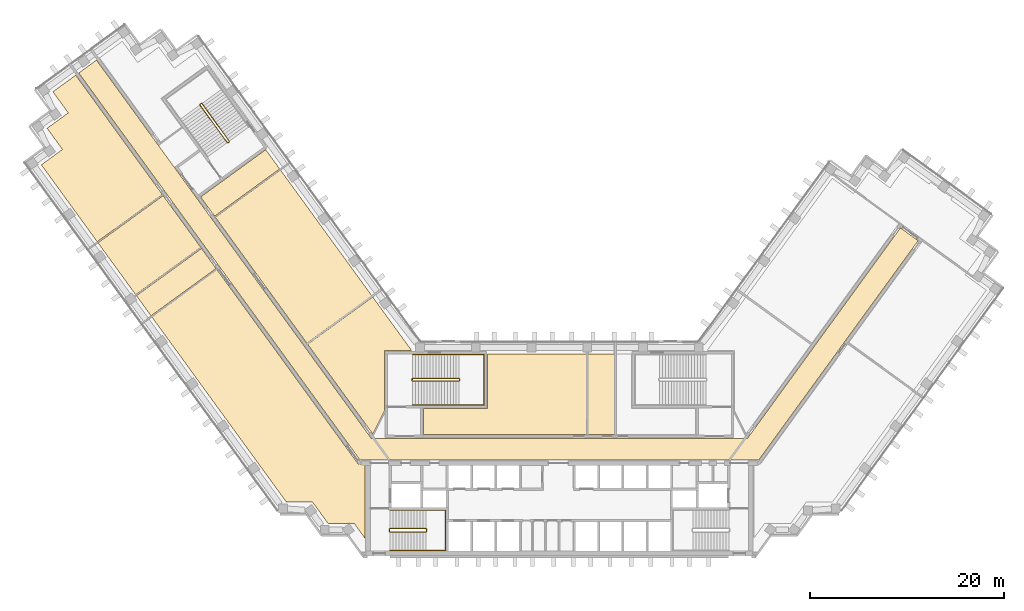
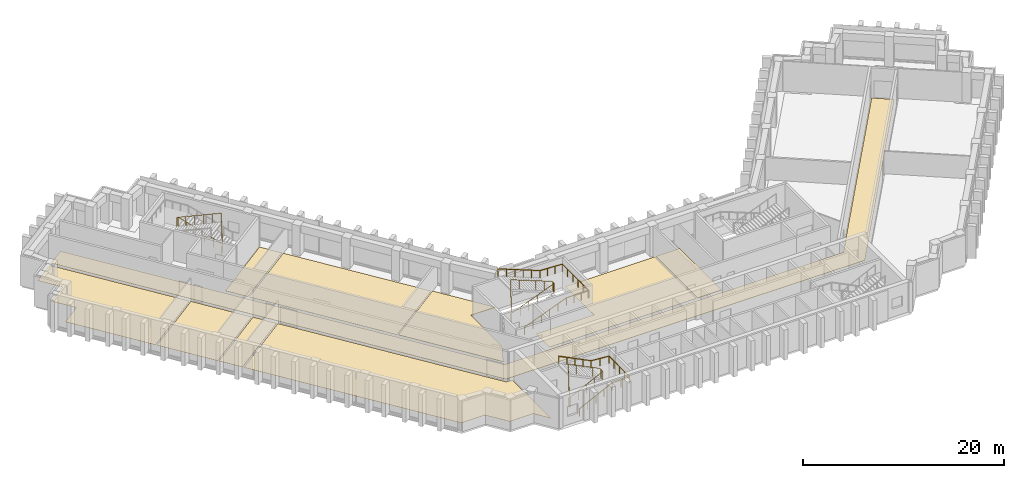
# One storey, part 11 of 12: 10 coverings, 5 railings.
"""IFC4 building model written with IfcOpenShell, lengths in metres."""

from ifc_helpers import new_model, si_unit, direction, frame, origin, origin_2d, place, context, subcontext, project, spatial, polyline, circle, outline, extrude, material, layer, layer_set, type_object, element, save


model = new_model("IFC4")

# Units and contexts
model_context = context("Model", 3, precision=1e-05, world=origin(), true_north=direction((0.0, 1.0)))
body_context = subcontext(model_context, "Body", "Model", "MODEL_VIEW")
ifc_project = project(units=[si_unit("LENGTHUNIT", "METRE"), si_unit("AREAUNIT", "SQUARE_METRE"), si_unit("VOLUMEUNIT", "CUBIC_METRE"), si_unit("PLANEANGLEUNIT", "RADIAN"), si_unit("MASSUNIT", "GRAM", prefix="KILO")], contexts=[model_context])

# Site, building, storey
site_placement = place(None, origin())
site = spatial("IfcSite", under=ifc_project, at=site_placement, CompositionType="ELEMENT")
building_placement = place(site_placement, origin())
building = spatial("IfcBuilding", under=site, at=building_placement, Name="Quipu Civic Tower", CompositionType="ELEMENT")
storey_placement = place(building_placement, frame((0.0, 0.0, 121.0)))
storey = spatial("IfcBuildingStorey", under=building, at=storey_placement, Name="L28", CompositionType="ELEMENT", Elevation=121.0)

# Coverings
ifc_material_1 = material(Name="Carpet tile on raised access floor")
ifc_layer_1 = layer(ifc_material_1, 0.02001953125)
ifc_layer_set_1 = layer_set([ifc_layer_1], Name="Carpet tile on raised access floor")
covering_type_1 = type_object("IfcCoveringType", Name="Carpet tile floor finish 20", PredefinedType="FLOORING", material=ifc_layer_set_1)
covering_1_placement = place(storey_placement, origin())
element("IfcCovering", 1, at=covering_1_placement, inside=storey, type_object=covering_type_1, Name="Carpet tile floor finish 20", PredefinedType="FLOORING", context=body_context, shape_type="SweptSolid", body=[
    extrude(outline(polyline([(-53.47998046875, 29.35791015625), (-51.297119140625, 30.945068359375), (-52.883056640625, 33.12890625), (-50.698974609375, 34.717041015625), (-52.284912109375, 36.90087890625), (-49.930908203125, 38.611083984375), (-40.988037109375, 26.301025390625), (-47.7119140625, 21.41796875), (-53.47998046875, 29.35791015625)])), origin(), (0.0, 0.0, 1.0), 0.02001953125),
])
covering_2_placement = place(storey_placement, origin())
element("IfcCovering", 2, at=covering_2_placement, inside=storey, type_object=covering_type_1, Name="Carpet tile floor finish 20", PredefinedType="FLOORING", context=body_context, shape_type="SweptSolid", body=[
    extrude(outline(polyline([(-14.030029296875, 1.52001953125), (-14.030029296875, 4.179931640625), (-7.429931640625, 4.180908203125), (-7.429931640625, 9.830078125), (2.80908203125, 9.830078125), (2.80908203125, 1.52001953125), (-14.030029296875, 1.52001953125)])), origin(), (0.0, 0.0, 1.0), 0.02001953125),
])
covering_3_placement = place(storey_placement, origin())
element("IfcCovering", 3, at=covering_3_placement, inside=storey, type_object=covering_type_1, Name="Carpet tile floor finish 20", PredefinedType="FLOORING", context=body_context, shape_type="SweptSolid", body=[
    extrude(outline(polyline([(-47.62890625, 21.304931640625), (-40.905029296875, 26.18798828125), (-37.02099609375, 20.841064453125), (-43.743896484375, 15.95703125), (-47.62890625, 21.304931640625)])), origin(), (0.0, 0.0, 1.0), 0.02001953125),
])
covering_4_placement = place(storey_placement, origin())
element("IfcCovering", 4, at=covering_4_placement, inside=storey, type_object=covering_type_1, Name="Carpet tile floor finish 20", PredefinedType="FLOORING", context=body_context, shape_type="SweptSolid", body=[
    extrude(outline(polyline([(-35.512939453125, 23.93896484375), (-28.7900390625, 28.822021484375), (-19.35107421875, 15.8291015625), (-26.073974609375, 10.946044921875), (-35.512939453125, 23.93896484375)])), origin(), (0.0, 0.0, 1.0), 0.02001953125),
])
covering_5_placement = place(storey_placement, origin())
element("IfcCovering", 5, at=covering_5_placement, inside=storey, type_object=covering_type_1, Name="Carpet tile floor finish 20", PredefinedType="FLOORING", context=body_context, shape_type="SweptSolid", body=[
    extrude(outline(polyline([(-42.073974609375, 13.658935546875), (-35.35107421875, 18.54296875), (-20.77490234375, -1.51904296875), (-20.070068359375, -1.52001953125), (-20.070068359375, -9.195068359375), (-21.196044921875, -7.64599609375), (-21.6630859375, -7.64599609375), (-21.666015625, -7.64404296875), (-21.669921875, -7.64111328125), (-21.675048828125, -7.639892578125), (-21.679931640625, -7.637939453125), (-21.68408203125, -7.636962890625), (-21.68896484375, -7.636962890625), (-21.694091796875, -7.635986328125), (-21.698974609375, -7.636962890625), (-21.7041015625, -7.637939453125), (-21.708984375, -7.638916015625), (-21.712890625, -7.64111328125), (-21.718017578125, -7.64306640625), (-21.721923828125, -7.64599609375), (-21.721923828125, -7.64599609375), (-23.89501953125, -7.64599609375), (-25.48193359375, -5.4619140625), (-28.181884765625, -5.4609375), (-42.073974609375, 13.658935546875)])), origin(), (0.0, 0.0, 1.0), 0.02001953125),
])
ifc_material_2 = material(Name="Ceramic floor tile")
ifc_layer_2 = layer(ifc_material_2, 0.030029296875)
ifc_layer_set_2 = layer_set([ifc_layer_2], Name="Ceramic floor tile")
covering_type_2 = type_object("IfcCoveringType", Name="Ceramic tile floor finish 30", PredefinedType="FLOORING", material=ifc_layer_set_2)
covering_6_placement = place(storey_placement, origin())
element("IfcCovering", 6, at=covering_6_placement, inside=storey, type_object=covering_type_2, Name="Ceramic tile floor finish 30", PredefinedType="FLOORING", context=body_context, shape_type="SweptSolid", body=[
    extrude(outline(polyline([(-37.0380859375, 26.0380859375), (-30.31494140625, 30.922119140625), (-28.873046875, 28.93505859375), (-35.595947265625, 24.052001953125), (-37.0380859375, 26.0380859375)])), origin(), (0.0, 0.0, 1.0), 0.030029296875),
])
covering_7_placement = place(storey_placement, origin())
element("IfcCovering", 7, at=covering_7_placement, inside=storey, type_object=covering_type_2, Name="Ceramic tile floor finish 30", PredefinedType="FLOORING", context=body_context, shape_type="SweptSolid", body=[
    extrude(outline(polyline([(-43.660888671875, 15.843994140625), (-36.93798828125, 20.72802734375), (-35.43408203125, 18.656005859375), (-42.156982421875, 13.77197265625), (-43.660888671875, 15.843994140625)])), origin(), (0.0, 0.0, 1.0), 0.030029296875),
])
ifc_material_3 = material(Name="Sealed cement screed")
ifc_layer_3 = layer(ifc_material_3, 0.050048828125)
ifc_layer_set_3 = layer_set([ifc_layer_3], Name="Sealed cement screed")
covering_type_3 = type_object("IfcCoveringType", Name="Sealed screed floor finish 50", PredefinedType="FLOORING", material=ifc_layer_set_3)
covering_8_placement = place(storey_placement, origin())
element("IfcCovering", 8, at=covering_8_placement, inside=storey, type_object=covering_type_3, Name="Sealed screed floor finish 50", PredefinedType="FLOORING", context=body_context, shape_type="SweptSolid", body=[
    extrude(outline(polyline([(2.948974609375, 1.52001953125), (2.948974609375, 9.830078125), (5.68798828125, 9.830078125), (5.68798828125, 1.52001953125), (2.948974609375, 1.52001953125)])), origin(), (0.0, 0.0, 1.0), 0.050048828125),
])
covering_9_placement = place(storey_placement, origin())
element("IfcCovering", 9, at=covering_9_placement, inside=storey, type_object=covering_type_3, Name="Sealed screed floor finish 50", PredefinedType="FLOORING", context=body_context, shape_type="SweptSolid", body=[
    extrude(outline(polyline([(-25.990966796875, 10.8330078125), (-19.26806640625, 15.716064453125), (-15.238037109375, 10.169921875), (-18.070068359375, 10.1689453125), (-18.070068359375, 3.94189453125), (-19.27197265625, 1.583984375), (-25.990966796875, 10.8330078125)])), origin(), (0.0, 0.0, 1.0), 0.050048828125),
])

# Railings
ifc_material_4 = material(Name="Stainless steel", Category="steel")
railing_type_1 = type_object("IfcRailingType", Name="Stair guard 1100", PredefinedType="GUARDRAIL", material=ifc_material_4)
railing_1_placement = place(storey_placement, frame((-17.5, -8.550048828125, 0.15380859375)))
element("IfcRailing", 10, at=railing_1_placement, inside=storey, type_object=railing_type_1, Name="Stair 1 guard", PredefinedType="GUARDRAIL", context=body_context, shape_type="SweptSolid", body=[
    extrude(circle(Radius=0.02392578125, at=origin_2d()), frame((0.0, 0.0, 1.076171875), z_axis=(0.895751851347, 0.0, 0.444554407028), x_axis=(0.0, 1.0, 0.0)), (0.0, 0.0, 1.0), 4.15283203125),
    extrude(circle(Radius=0.02392578125, at=origin_2d()), frame((3.719970703125, 0.0, 2.92236328125), z_axis=(0.707106781187, 0.707106781187, 0.0), x_axis=(-0.707106781187, 0.707106781187, 0.0)), (0.0, 0.0, 1.0), 0.07080078125),
    extrude(circle(Radius=0.02392578125, at=origin_2d()), frame((3.77001953125, 0.050048828125, 2.92236328125), z_axis=(0.0, 1.0, 0.0), x_axis=(-1.0, 0.0, 0.0)), (0.0, 0.0, 1.0), 0.25),
    extrude(circle(Radius=0.02392578125, at=origin_2d()), frame((3.77001953125, 0.300048828125, 2.92236328125), z_axis=(-0.295599637079, 0.295599637079, 0.908428152975), x_axis=(-0.707106781187, -0.707106781187, 0.0)), (0.0, 0.0, 1.0), 0.16943359375),
    extrude(circle(Radius=0.02392578125, at=origin_2d()), frame((3.719970703125, 0.35009765625, 3.076171875), z_axis=(-0.895751851347, 0.0, 0.444554407028), x_axis=(0.0, -1.0, 0.0)), (0.0, 0.0, 1.0), 4.15283203125),
    extrude(circle(Radius=0.02392578125, at=origin_2d()), frame((0.0, 0.35009765625, 4.92236328125), z_axis=(-0.012476181752, -0.074796231092, -0.997120789425), x_axis=(0.986372223864, -0.164529134168, 0.0)), (0.0, 0.0, 1.0), 4.011474609375),
    extrude(circle(Radius=0.02392578125, at=origin_2d()), frame((-0.050048828125, 0.050048828125, 0.92236328125), z_axis=(0.0, 1.0, 0.0), x_axis=(-1.0, 0.0, 0.0)), (0.0, 0.0, 1.0), 0.25),
    extrude(circle(Radius=0.02099609375, at=origin_2d()), origin(), (0.0, 0.0, 1.0), 1.052001953125),
    extrude(circle(Radius=0.02099609375, at=origin_2d()), frame((0.929931640625, 0.0, 0.46142578125)), (0.0, 0.0, 1.0), 1.052001953125),
    extrude(circle(Radius=0.02099609375, at=origin_2d()), frame((1.85986328125, 0.0, 0.923095703125)), (0.0, 0.0, 1.0), 1.052001953125),
    extrude(circle(Radius=0.02099609375, at=origin_2d()), frame((2.7900390625, 0.0, 1.384765625)), (0.0, 0.0, 1.0), 1.052001953125),
    extrude(circle(Radius=0.02099609375, at=origin_2d()), frame((3.719970703125, 0.0, 1.84619140625)), (0.0, 0.0, 1.0), 1.052001953125),
    extrude(circle(Radius=0.02099609375, at=origin_2d()), frame((3.77001953125, 0.050048828125, 1.84619140625)), (0.0, 0.0, 1.0), 1.052001953125),
    extrude(circle(Radius=0.02099609375, at=origin_2d()), frame((3.77001953125, 0.300048828125, 1.84619140625)), (0.0, 0.0, 1.0), 1.052001953125),
    extrude(circle(Radius=0.02099609375, at=origin_2d()), frame((3.719970703125, 0.35009765625, 2.0)), (0.0, 0.0, 1.0), 1.052001953125),
    extrude(circle(Radius=0.02099609375, at=origin_2d()), frame((2.7900390625, 0.35009765625, 2.46142578125)), (0.0, 0.0, 1.0), 1.052001953125),
    extrude(circle(Radius=0.02099609375, at=origin_2d()), frame((1.85986328125, 0.35009765625, 2.923095703125)), (0.0, 0.0, 1.0), 1.052001953125),
    extrude(circle(Radius=0.02099609375, at=origin_2d()), frame((0.929931640625, 0.35009765625, 3.384765625)), (0.0, 0.0, 1.0), 1.052001953125),
    extrude(circle(Radius=0.02099609375, at=origin_2d()), frame((0.0, 0.35009765625, 3.84619140625)), (0.0, 0.0, 1.0), 1.052001953125),
    extrude(circle(Radius=0.02099609375, at=origin_2d()), frame((-0.012451171875, 0.275146484375, 2.84619140625)), (0.0, 0.0, 1.0), 1.052001953125),
    extrude(circle(Radius=0.02099609375, at=origin_2d()), frame((-0.02490234375, 0.2001953125, 1.84619140625)), (0.0, 0.0, 1.0), 1.052001953125),
    extrude(circle(Radius=0.02099609375, at=origin_2d()), frame((-0.03759765625, 0.125, 0.84619140625)), (0.0, 0.0, 1.0), 1.052001953125),
    extrude(circle(Radius=0.02099609375, at=origin_2d()), frame((-0.050048828125, 0.050048828125, -0.15380859375)), (0.0, 0.0, 1.0), 1.052001953125),
    extrude(circle(Radius=0.02099609375, at=origin_2d()), frame((-0.050048828125, 0.300048828125, -0.15380859375)), (0.0, 0.0, 1.0), 1.052001953125),
])
railing_2_placement = place(storey_placement, frame((-15.14990234375, 7.050048828125, 0.11767578125)))
element("IfcRailing", 11, at=railing_2_placement, inside=storey, type_object=railing_type_1, Name="Stair 3 guard", PredefinedType="GUARDRAIL", context=body_context, shape_type="SweptSolid", body=[
    extrude(circle(Radius=0.02392578125, at=origin_2d()), frame((0.0, 0.0, 1.076171875), z_axis=(0.930970042603, 0.0, 0.365095576219), x_axis=(0.0, 1.0, 0.0)), (0.0, 0.0, 1.0), 5.15576171875),
    extrude(circle(Radius=0.02392578125, at=origin_2d()), frame((4.7998046875, 0.0, 2.95849609375), z_axis=(0.707106781187, 0.707106781187, 0.0), x_axis=(-0.707106781187, 0.707106781187, 0.0)), (0.0, 0.0, 1.0), 0.07080078125),
    extrude(circle(Radius=0.02392578125, at=origin_2d()), frame((4.849853515625, 0.050048828125, 2.95849609375), z_axis=(0.0, 1.0, 0.0), x_axis=(-1.0, 0.0, 0.0)), (0.0, 0.0, 1.0), 0.14990234375),
    extrude(circle(Radius=0.02392578125, at=origin_2d()), frame((4.849853515625, 0.199951171875, 2.95849609375), z_axis=(-0.364463019033, 0.364463019033, 0.856932561824), x_axis=(-0.707106781187, -0.707106781187, 0.0)), (0.0, 0.0, 1.0), 0.13720703125),
    extrude(circle(Radius=0.02392578125, at=origin_2d()), frame((4.7998046875, 0.25, 3.076171875), z_axis=(-0.930970042603, 0.0, 0.365095576219), x_axis=(0.0, -1.0, 0.0)), (0.0, 0.0, 1.0), 5.15576171875),
    extrude(circle(Radius=0.02392578125, at=origin_2d()), frame((0.0, 0.25, 4.95849609375), z_axis=(-0.012495627992, -0.049921557685, -0.998674970829), x_axis=(0.970072785993, -0.242814311512, 0.0)), (0.0, 0.0, 1.0), 4.00537109375),
    extrude(circle(Radius=0.02392578125, at=origin_2d()), frame((-0.050048828125, 0.050048828125, 0.95849609375), z_axis=(0.0, 1.0, 0.0), x_axis=(-1.0, 0.0, 0.0)), (0.0, 0.0, 1.0), 0.14990234375),
    extrude(circle(Radius=0.02099609375, at=origin_2d()), origin(), (0.0, 0.0, 1.0), 1.052001953125),
    extrude(circle(Radius=0.02099609375, at=origin_2d()), frame((0.9599609375, 0.0, 0.37646484375)), (0.0, 0.0, 1.0), 1.052001953125),
    extrude(circle(Radius=0.02099609375, at=origin_2d()), frame((1.919921875, 0.0, 0.7529296875)), (0.0, 0.0, 1.0), 1.052001953125),
    extrude(circle(Radius=0.02099609375, at=origin_2d()), frame((2.8798828125, 0.0, 1.12939453125)), (0.0, 0.0, 1.0), 1.052001953125),
    extrude(circle(Radius=0.02099609375, at=origin_2d()), frame((3.83984375, 0.0, 1.505859375)), (0.0, 0.0, 1.0), 1.052001953125),
    extrude(circle(Radius=0.02099609375, at=origin_2d()), frame((4.7998046875, 0.0, 1.88232421875)), (0.0, 0.0, 1.0), 1.052001953125),
    extrude(circle(Radius=0.02099609375, at=origin_2d()), frame((4.849853515625, 0.050048828125, 1.88232421875)), (0.0, 0.0, 1.0), 1.052001953125),
    extrude(circle(Radius=0.02099609375, at=origin_2d()), frame((4.849853515625, 0.199951171875, 1.88232421875)), (0.0, 0.0, 1.0), 1.052001953125),
    extrude(circle(Radius=0.02099609375, at=origin_2d()), frame((4.7998046875, 0.25, 2.0)), (0.0, 0.0, 1.0), 1.052001953125),
    extrude(circle(Radius=0.02099609375, at=origin_2d()), frame((3.83984375, 0.25, 2.37646484375)), (0.0, 0.0, 1.0), 1.052001953125),
    extrude(circle(Radius=0.02099609375, at=origin_2d()), frame((2.8798828125, 0.25, 2.7529296875)), (0.0, 0.0, 1.0), 1.052001953125),
    extrude(circle(Radius=0.02099609375, at=origin_2d()), frame((1.919921875, 0.25, 3.12939453125)), (0.0, 0.0, 1.0), 1.052001953125),
    extrude(circle(Radius=0.02099609375, at=origin_2d()), frame((0.9599609375, 0.25, 3.505859375)), (0.0, 0.0, 1.0), 1.052001953125),
    extrude(circle(Radius=0.02099609375, at=origin_2d()), frame((0.0, 0.25, 3.88232421875)), (0.0, 0.0, 1.0), 1.052001953125),
    extrude(circle(Radius=0.02099609375, at=origin_2d()), frame((-0.012451171875, 0.199951171875, 2.88232421875)), (0.0, 0.0, 1.0), 1.052001953125),
    extrude(circle(Radius=0.02099609375, at=origin_2d()), frame((-0.02490234375, 0.14990234375, 1.88232421875)), (0.0, 0.0, 1.0), 1.052001953125),
    extrude(circle(Radius=0.02099609375, at=origin_2d()), frame((-0.03759765625, 0.10009765625, 0.88232421875)), (0.0, 0.0, 1.0), 1.052001953125),
    extrude(circle(Radius=0.02099609375, at=origin_2d()), frame((-0.050048828125, 0.050048828125, -0.11767578125)), (0.0, 0.0, 1.0), 1.052001953125),
    extrude(circle(Radius=0.02099609375, at=origin_2d()), frame((-0.050048828125, 0.199951171875, -0.11767578125)), (0.0, 0.0, 1.0), 1.052001953125),
])
railing_3_placement = place(storey_placement, frame((-34.078857421875, 31.79736328125, 0.11767578125)))
element("IfcRailing", 12, at=railing_3_placement, inside=storey, type_object=railing_type_1, Name="Stair 6 guard", PredefinedType="GUARDRAIL", context=body_context, shape_type="SweptSolid", body=[
    extrude(circle(Radius=0.02392578125, at=origin_2d()), frame((0.0, 0.0, 1.076171875), z_axis=(-0.54720100349, 0.753182689643, 0.365084781664), x_axis=(-0.809026317077, -0.587772420479, 0.0)), (0.0, 0.0, 1.0), 5.15576171875),
    extrude(circle(Radius=0.02392578125, at=origin_2d()), frame((-2.8212890625, 3.88330078125, 2.95849609375), z_axis=(-0.987846838465, 0.155430446612, 0.0), x_axis=(-0.155430446612, -0.987846838465, 0.0)), (0.0, 0.0, 1.0), 0.07080078125),
    extrude(circle(Radius=0.02392578125, at=origin_2d()), frame((-2.89111328125, 3.894287109375, 2.95849609375), z_axis=(-0.809649071907, -0.586914287065, 0.0), x_axis=(0.586914287065, -0.809649071907, 0.0)), (0.0, 0.0, 1.0), 0.150146484375),
    extrude(circle(Radius=0.02392578125, at=origin_2d()), frame((-3.0126953125, 3.80615234375, 2.95849609375), z_axis=(-0.080033047627, -0.508654480474, 0.857242865693), x_axis=(0.987846838465, -0.155430446612, 0.0)), (0.0, 0.0, 1.0), 0.13720703125),
    extrude(circle(Radius=0.02392578125, at=origin_2d()), frame((-3.023681640625, 3.736328125, 3.076171875), z_axis=(0.54720100349, -0.753182689643, 0.365084781664), x_axis=(0.809026317077, 0.587772420479, 0.0)), (0.0, 0.0, 1.0), 5.15576171875),
    extrude(circle(Radius=0.02392578125, at=origin_2d()), frame((-0.202392578125, -0.14697265625, 4.95849609375), z_axis=(0.047788004556, 0.019261491632, -0.998671768681), x_axis=(-0.373837031195, 0.92749440651, 0.0)), (0.0, 0.0, 1.0), 4.00537109375),
    extrude(circle(Radius=0.02392578125, at=origin_2d()), frame((-0.010986328125, -0.06982421875, 0.95849609375), z_axis=(-0.809087927272, -0.587687609145, 0.0), x_axis=(0.587687609145, -0.809087927272, 0.0)), (0.0, 0.0, 1.0), 0.14990234375),
    extrude(circle(Radius=0.02099609375, at=origin_2d()), origin(), (0.0, 0.0, 1.0), 1.052001953125),
    extrude(circle(Radius=0.02099609375, at=origin_2d()), frame((-0.564208984375, 0.776611328125, 0.37646484375)), (0.0, 0.0, 1.0), 1.052001953125),
    extrude(circle(Radius=0.02099609375, at=origin_2d()), frame((-1.12841796875, 1.55322265625, 0.7529296875)), (0.0, 0.0, 1.0), 1.052001953125),
    extrude(circle(Radius=0.02099609375, at=origin_2d()), frame((-1.69287109375, 2.330078125, 1.12939453125)), (0.0, 0.0, 1.0), 1.052001953125),
    extrude(circle(Radius=0.02099609375, at=origin_2d()), frame((-2.257080078125, 3.106689453125, 1.505859375)), (0.0, 0.0, 1.0), 1.052001953125),
    extrude(circle(Radius=0.02099609375, at=origin_2d()), frame((-2.8212890625, 3.88330078125, 1.88232421875)), (0.0, 0.0, 1.0), 1.052001953125),
    extrude(circle(Radius=0.02099609375, at=origin_2d()), frame((-2.89111328125, 3.894287109375, 1.88232421875)), (0.0, 0.0, 1.0), 1.052001953125),
    extrude(circle(Radius=0.02099609375, at=origin_2d()), frame((-3.0126953125, 3.80615234375, 1.88232421875)), (0.0, 0.0, 1.0), 1.052001953125),
    extrude(circle(Radius=0.02099609375, at=origin_2d()), frame((-3.023681640625, 3.736328125, 2.0)), (0.0, 0.0, 1.0), 1.052001953125),
    extrude(circle(Radius=0.02099609375, at=origin_2d()), frame((-2.45947265625, 2.959716796875, 2.37646484375)), (0.0, 0.0, 1.0), 1.052001953125),
    extrude(circle(Radius=0.02099609375, at=origin_2d()), frame((-1.895263671875, 2.18310546875, 2.7529296875)), (0.0, 0.0, 1.0), 1.052001953125),
    extrude(circle(Radius=0.02099609375, at=origin_2d()), frame((-1.330810546875, 1.40625, 3.12939453125)), (0.0, 0.0, 1.0), 1.052001953125),
    extrude(circle(Radius=0.02099609375, at=origin_2d()), frame((-0.7666015625, 0.629638671875, 3.505859375)), (0.0, 0.0, 1.0), 1.052001953125),
    extrude(circle(Radius=0.02099609375, at=origin_2d()), frame((-0.202392578125, -0.14697265625, 3.88232421875)), (0.0, 0.0, 1.0), 1.052001953125),
    extrude(circle(Radius=0.02099609375, at=origin_2d()), frame((-0.154541015625, -0.127685546875, 2.88232421875)), (0.0, 0.0, 1.0), 1.052001953125),
    extrude(circle(Radius=0.02099609375, at=origin_2d()), frame((-0.106689453125, -0.1083984375, 1.88232421875)), (0.0, 0.0, 1.0), 1.052001953125),
    extrude(circle(Radius=0.02099609375, at=origin_2d()), frame((-0.058837890625, -0.089111328125, 0.88232421875)), (0.0, 0.0, 1.0), 1.052001953125),
    extrude(circle(Radius=0.02099609375, at=origin_2d()), frame((-0.010986328125, -0.06982421875, -0.11767578125)), (0.0, 0.0, 1.0), 1.052001953125),
    extrude(circle(Radius=0.02099609375, at=origin_2d()), frame((-0.13232421875, -0.157958984375, -0.11767578125)), (0.0, 0.0, 1.0), 1.052001953125),
])
ifc_material_5 = material(Name="Stainless steel", Category="steel")
railing_type_2 = type_object("IfcRailingType", Name="Stair handrail", PredefinedType="HANDRAIL", material=ifc_material_5)
railing_4_placement = place(storey_placement, frame((-17.5, -10.449951171875, 0.15380859375)))
element("IfcRailing", 13, at=railing_4_placement, inside=storey, type_object=railing_type_2, Name="Stair 1 handrail", PredefinedType="HANDRAIL", context=body_context, shape_type="SweptSolid", body=[
    extrude(circle(Radius=0.02392578125, at=origin_2d()), frame((0.0, 0.0, 0.8759765625), z_axis=(0.895751851347, 0.0, 0.444554407028), x_axis=(0.0, 1.0, 0.0)), (0.0, 0.0, 1.0), 4.15283203125),
    extrude(circle(Radius=0.02392578125, at=origin_2d()), frame((3.719970703125, 0.0, 2.72216796875), z_axis=(1.0, 0.0, 0.0), x_axis=(0.0, 1.0, 0.0)), (0.0, 0.0, 1.0), 2.030029296875),
    extrude(circle(Radius=0.02392578125, at=origin_2d()), frame((5.75, 0.0, 2.72216796875), z_axis=(0.0, 1.0, 0.0), x_axis=(-1.0, 0.0, 0.0)), (0.0, 0.0, 1.0), 4.14990234375),
    extrude(circle(Radius=0.02392578125, at=origin_2d()), frame((5.75, 4.14990234375, 2.72216796875), z_axis=(-0.997142003663, 0.0, 0.075550145798), x_axis=(0.0, -1.0, 0.0)), (0.0, 0.0, 1.0), 2.035888671875),
    extrude(circle(Radius=0.02392578125, at=origin_2d()), frame((3.719970703125, 4.14990234375, 2.8759765625), z_axis=(-0.895751851347, 0.0, 0.444554407028), x_axis=(0.0, -1.0, 0.0)), (0.0, 0.0, 1.0), 4.15283203125),
    extrude(circle(Radius=0.02099609375, at=origin_2d()), origin(), (0.0, 0.0, 1.0), 0.851806640625),
    extrude(circle(Radius=0.02099609375, at=origin_2d()), frame((0.929931640625, 0.0, 0.46142578125)), (0.0, 0.0, 1.0), 0.851806640625),
    extrude(circle(Radius=0.02099609375, at=origin_2d()), frame((1.85986328125, 0.0, 0.923095703125)), (0.0, 0.0, 1.0), 0.851806640625),
    extrude(circle(Radius=0.02099609375, at=origin_2d()), frame((2.7900390625, 0.0, 1.384765625)), (0.0, 0.0, 1.0), 0.851806640625),
    extrude(circle(Radius=0.02099609375, at=origin_2d()), frame((3.719970703125, 0.0, 1.84619140625)), (0.0, 0.0, 1.0), 0.851806640625),
    extrude(circle(Radius=0.02099609375, at=origin_2d()), frame((4.73486328125, 0.0, 1.84619140625)), (0.0, 0.0, 1.0), 0.851806640625),
    extrude(circle(Radius=0.02099609375, at=origin_2d()), frame((5.75, 0.0, 1.84619140625)), (0.0, 0.0, 1.0), 0.851806640625),
    extrude(circle(Radius=0.02099609375, at=origin_2d()), frame((5.75, 1.03759765625, 1.84619140625)), (0.0, 0.0, 1.0), 0.851806640625),
    extrude(circle(Radius=0.02099609375, at=origin_2d()), frame((5.75, 2.074951171875, 1.84619140625)), (0.0, 0.0, 1.0), 0.851806640625),
    extrude(circle(Radius=0.02099609375, at=origin_2d()), frame((5.75, 3.1123046875, 1.84619140625)), (0.0, 0.0, 1.0), 0.851806640625),
    extrude(circle(Radius=0.02099609375, at=origin_2d()), frame((5.75, 4.14990234375, 1.84619140625)), (0.0, 0.0, 1.0), 0.851806640625),
    extrude(circle(Radius=0.02099609375, at=origin_2d()), frame((4.73486328125, 4.14990234375, 1.923095703125)), (0.0, 0.0, 1.0), 0.851806640625),
    extrude(circle(Radius=0.02099609375, at=origin_2d()), frame((3.719970703125, 4.14990234375, 2.0)), (0.0, 0.0, 1.0), 0.851806640625),
    extrude(circle(Radius=0.02099609375, at=origin_2d()), frame((2.7900390625, 4.14990234375, 2.46142578125)), (0.0, 0.0, 1.0), 0.851806640625),
    extrude(circle(Radius=0.02099609375, at=origin_2d()), frame((1.85986328125, 4.14990234375, 2.923095703125)), (0.0, 0.0, 1.0), 0.851806640625),
    extrude(circle(Radius=0.02099609375, at=origin_2d()), frame((0.929931640625, 4.14990234375, 3.384765625)), (0.0, 0.0, 1.0), 0.851806640625),
    extrude(circle(Radius=0.02099609375, at=origin_2d()), frame((0.0, 4.14990234375, 3.84619140625)), (0.0, 0.0, 1.0), 0.851806640625),
])
railing_5_placement = place(storey_placement, frame((-15.14990234375, 4.550048828125, 0.11767578125)))
element("IfcRailing", 14, at=railing_5_placement, inside=storey, type_object=railing_type_2, Name="Stair 3 handrail", PredefinedType="HANDRAIL", context=body_context, shape_type="SweptSolid", body=[
    extrude(circle(Radius=0.02392578125, at=origin_2d()), frame((0.0, 0.0, 0.8759765625), z_axis=(0.930970042603, 0.0, 0.365095576219), x_axis=(0.0, 1.0, 0.0)), (0.0, 0.0, 1.0), 5.15576171875),
    extrude(circle(Radius=0.02392578125, at=origin_2d()), frame((4.7998046875, 0.0, 2.75830078125), z_axis=(1.0, 0.0, 0.0), x_axis=(0.0, 1.0, 0.0)), (0.0, 0.0, 1.0), 2.550048828125),
    extrude(circle(Radius=0.02392578125, at=origin_2d()), frame((7.349853515625, 0.0, 2.75830078125), z_axis=(0.0, 1.0, 0.0), x_axis=(-1.0, 0.0, 0.0)), (0.0, 0.0, 1.0), 5.25),
    extrude(circle(Radius=0.02392578125, at=origin_2d()), frame((7.349853515625, 5.25, 2.75830078125), z_axis=(-0.998936948642, 0.0, 0.04609742549), x_axis=(0.0, -1.0, 0.0)), (0.0, 0.0, 1.0), 2.552734375),
    extrude(circle(Radius=0.02392578125, at=origin_2d()), frame((4.7998046875, 5.25, 2.8759765625), z_axis=(-0.930970042603, 0.0, 0.365095576219), x_axis=(0.0, -1.0, 0.0)), (0.0, 0.0, 1.0), 5.15576171875),
    extrude(circle(Radius=0.02099609375, at=origin_2d()), origin(), (0.0, 0.0, 1.0), 0.851806640625),
    extrude(circle(Radius=0.02099609375, at=origin_2d()), frame((0.9599609375, 0.0, 0.37646484375)), (0.0, 0.0, 1.0), 0.851806640625),
    extrude(circle(Radius=0.02099609375, at=origin_2d()), frame((1.919921875, 0.0, 0.7529296875)), (0.0, 0.0, 1.0), 0.851806640625),
    extrude(circle(Radius=0.02099609375, at=origin_2d()), frame((2.8798828125, 0.0, 1.12939453125)), (0.0, 0.0, 1.0), 0.851806640625),
    extrude(circle(Radius=0.02099609375, at=origin_2d()), frame((3.83984375, 0.0, 1.505859375)), (0.0, 0.0, 1.0), 0.851806640625),
    extrude(circle(Radius=0.02099609375, at=origin_2d()), frame((4.7998046875, 0.0, 1.88232421875)), (0.0, 0.0, 1.0), 0.851806640625),
    extrude(circle(Radius=0.02099609375, at=origin_2d()), frame((5.64990234375, 0.0, 1.88232421875)), (0.0, 0.0, 1.0), 0.851806640625),
    extrude(circle(Radius=0.02099609375, at=origin_2d()), frame((6.499755859375, 0.0, 1.88232421875)), (0.0, 0.0, 1.0), 0.851806640625),
    extrude(circle(Radius=0.02099609375, at=origin_2d()), frame((7.349853515625, 0.0, 1.88232421875)), (0.0, 0.0, 1.0), 0.851806640625),
    extrude(circle(Radius=0.02099609375, at=origin_2d()), frame((7.349853515625, 1.050048828125, 1.88232421875)), (0.0, 0.0, 1.0), 0.851806640625),
    extrude(circle(Radius=0.02099609375, at=origin_2d()), frame((7.349853515625, 2.10009765625, 1.88232421875)), (0.0, 0.0, 1.0), 0.851806640625),
    extrude(circle(Radius=0.02099609375, at=origin_2d()), frame((7.349853515625, 3.14990234375, 1.88232421875)), (0.0, 0.0, 1.0), 0.851806640625),
    extrude(circle(Radius=0.02099609375, at=origin_2d()), frame((7.349853515625, 4.199951171875, 1.88232421875)), (0.0, 0.0, 1.0), 0.851806640625),
    extrude(circle(Radius=0.02099609375, at=origin_2d()), frame((7.349853515625, 5.25, 1.88232421875)), (0.0, 0.0, 1.0), 0.851806640625),
    extrude(circle(Radius=0.02099609375, at=origin_2d()), frame((6.499755859375, 5.25, 1.921630859375)), (0.0, 0.0, 1.0), 0.851806640625),
    extrude(circle(Radius=0.02099609375, at=origin_2d()), frame((5.64990234375, 5.25, 1.960693359375)), (0.0, 0.0, 1.0), 0.851806640625),
    extrude(circle(Radius=0.02099609375, at=origin_2d()), frame((4.7998046875, 5.25, 2.0)), (0.0, 0.0, 1.0), 0.851806640625),
    extrude(circle(Radius=0.02099609375, at=origin_2d()), frame((3.83984375, 5.25, 2.37646484375)), (0.0, 0.0, 1.0), 0.851806640625),
    extrude(circle(Radius=0.02099609375, at=origin_2d()), frame((2.8798828125, 5.25, 2.7529296875)), (0.0, 0.0, 1.0), 0.851806640625),
    extrude(circle(Radius=0.02099609375, at=origin_2d()), frame((1.919921875, 5.25, 3.12939453125)), (0.0, 0.0, 1.0), 0.851806640625),
    extrude(circle(Radius=0.02099609375, at=origin_2d()), frame((0.9599609375, 5.25, 3.505859375)), (0.0, 0.0, 1.0), 0.851806640625),
    extrude(circle(Radius=0.02099609375, at=origin_2d()), frame((0.0, 5.25, 3.88232421875)), (0.0, 0.0, 1.0), 0.851806640625),
])

# Covering
ifc_material_6 = material(Name="Terrazzo floor finish")
ifc_layer_4 = layer(ifc_material_6, 0.0400390625)
ifc_layer_set_4 = layer_set([ifc_layer_4], Name="Terrazzo floor finish")
covering_type_4 = type_object("IfcCoveringType", Name="Terrazzo floor finish 40", PredefinedType="FLOORING", material=ifc_layer_set_4)
covering_10_placement = place(storey_placement, origin())
element("IfcCovering", 15, at=covering_10_placement, inside=storey, type_object=covering_type_4, Name="Terrazzo floor finish 40", PredefinedType="FLOORING", context=body_context, shape_type="SweptSolid", body=[
    extrude(outline(polyline([(20.574951171875, -1.1298828125), (-20.574951171875, -1.1298828125), (-49.615966796875, 38.840087890625), (-47.787109375, 40.16796875), (-19.425048828125, 1.1298828125), (19.425048828125, 1.1298828125), (35.208984375, 22.85498046875), (37.037109375, 21.527099609375), (20.574951171875, -1.1298828125)])), origin(), (0.0, 0.0, 1.0), 0.0400390625),
])

save(model, "model.ifc")
